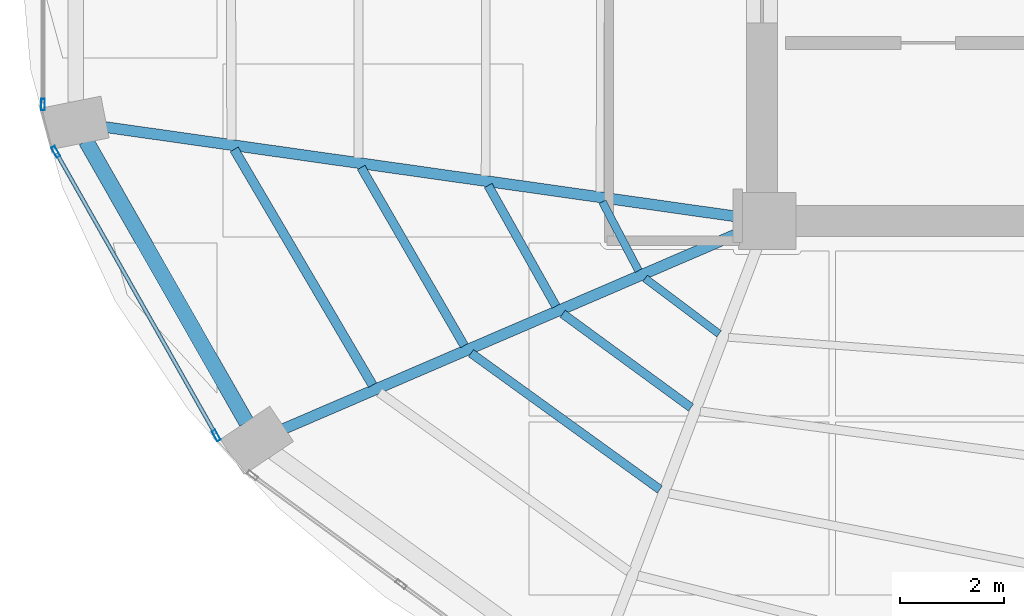
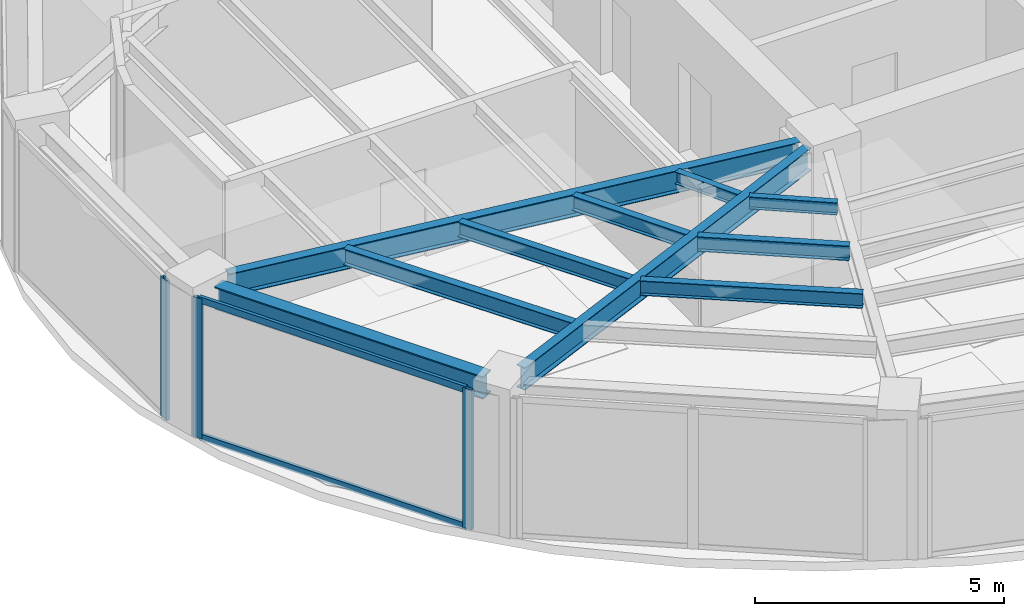
# One storey, part 3 of 20: 10 beams, 5 members, 2 elements without a shape of their own.
"""IFC4 building model written with IfcOpenShell, lengths in metres."""

from ifc_helpers import new_model, si_unit, direction, frame, origin, origin_2d, place, context, subcontext, project, spatial, hollow_rectangle, i_section, extrude, material, layer, layer_set, material_profile, profile_set, type_object, element, aggregate, save


model = new_model("IFC4")

# Units and contexts
model_context = context("Model", 3, precision=1e-05, world=origin(), true_north=direction((0.0, 1.0)))
body_context = subcontext(model_context, "Body", "Model", "MODEL_VIEW")
ifc_project = project(units=[si_unit("LENGTHUNIT", "METRE"), si_unit("AREAUNIT", "SQUARE_METRE"), si_unit("VOLUMEUNIT", "CUBIC_METRE"), si_unit("PLANEANGLEUNIT", "RADIAN"), si_unit("MASSUNIT", "GRAM", prefix="KILO")], contexts=[model_context])

# Site, building, storey
site_placement = place(None, origin())
site = spatial("IfcSite", under=ifc_project, at=site_placement, CompositionType="ELEMENT")
building_placement = place(site_placement, origin())
building = spatial("IfcBuilding", under=site, at=building_placement, Name="Lazwardi Medical Tower", CompositionType="ELEMENT")
storey_placement = place(building_placement, frame((0.0, 0.0, 156.528076171875)))
storey = spatial("IfcBuildingStorey", under=building, at=storey_placement, Name="L40", CompositionType="ELEMENT", Elevation=156.528076171875)

# Beams
ifc_material_1 = material(Name="Steel S355", Category="steel")
ifc_material_profile_1 = material_profile(ifc_material_1, i_section(OverallWidth=0.300048828125, OverallDepth=0.550048828125, WebThickness=0.014892578125, FlangeThickness=0.029052734375, at=origin_2d()), Name="HEB 550")
ifc_profile_set_1 = profile_set([ifc_material_profile_1], Name="Steel S355")
beam_type_1 = type_object("IfcBeamType", Name="BM-RB-Z3", PredefinedType="BEAM", material=ifc_profile_set_1)
beam_1_placement = place(storey_placement, frame((13.272216796875, 21.94091796875, 3.15283203125), z_axis=(0.495460926326, -0.868630226554, 0.0), x_axis=(0.868630226554, 0.495460926326, 0.0)))
element("IfcBeam", 1, at=beam_1_placement, inside=storey, type_object=beam_type_1, Name="Ring beam RB-04 B13 L40", PredefinedType="BEAM", context=body_context, shape_type="SweptSolid", body=[
    extrude(i_section(OverallWidth=0.300048828125, OverallDepth=0.550048828125, WebThickness=0.014892578125, FlangeThickness=0.029052734375, at=origin_2d()), origin(), (0.0, 0.0, 1.0), 6.24462890625),
])
ifc_material_profile_2 = material_profile(ifc_material_1, i_section(OverallWidth=0.2099609375, OverallDepth=0.550048828125, WebThickness=0.010986328125, FlangeThickness=0.01708984375, at=origin_2d()), Name="IPE 550")
ifc_profile_set_2 = profile_set([ifc_material_profile_2], Name="Steel S355")
beam_type_2 = type_object("IfcBeamType", Name="BM-RG-W2", PredefinedType="BEAM", material=ifc_profile_set_2)
beam_2_placement = place(storey_placement, frame((13.628662109375, 22.209716796875, 3.15283203125), z_axis=(0.99010958763, -0.140296131389, 0.0), x_axis=(0.140296131389, 0.99010958763, 0.0)))
element("IfcBeam", 2, at=beam_2_placement, inside=storey, type_object=beam_type_2, Name="Radial girder RG-03 R13 L40", PredefinedType="BEAM", context=body_context, shape_type="SweptSolid", body=[
    extrude(i_section(OverallWidth=0.2099609375, OverallDepth=0.550048828125, WebThickness=0.010986328125, FlangeThickness=0.01708984375, at=origin_2d()), origin(), (0.0, 0.0, 1.0), 12.364013671875),
])
beam_3_placement = place(storey_placement, frame((17.078857421875, 16.390380859375, 3.15283203125), z_axis=(0.918608156288, 0.395169653695, 0.0), x_axis=(-0.395169653695, 0.918608156288, 0.0)))
element("IfcBeam", 3, at=beam_3_placement, inside=storey, type_object=beam_type_2, Name="Radial girder RG-03 R14 L40", PredefinedType="BEAM", context=body_context, shape_type="SweptSolid", body=[
    extrude(i_section(OverallWidth=0.2099609375, OverallDepth=0.550048828125, WebThickness=0.010986328125, FlangeThickness=0.01708984375, at=origin_2d()), origin(), (0.0, 0.0, 1.0), 9.61181640625),
])
ifc_material_profile_3 = material_profile(ifc_material_1, i_section(OverallWidth=0.179931640625, OverallDepth=0.39990234375, WebThickness=0.008544921875, FlangeThickness=0.013427734375, at=origin_2d()), Name="IPE 400")
ifc_profile_set_3 = profile_set([ifc_material_profile_3], Name="Steel S355")
beam_type_3 = type_object("IfcBeamType", Name="BM-SJ-01", PredefinedType="JOIST", material=ifc_profile_set_3)
beam_4_placement = place(storey_placement, frame((16.127685546875, 21.776611328125, 3.22802734375), z_axis=(0.506420212881, -0.862286824662, 0.0), x_axis=(0.862286824662, 0.506420212881, 0.0)))
element("IfcBeam", 4, at=beam_4_placement, inside=storey, type_object=beam_type_3, Name="Secondary joist SJ-01 R1 B13 L40", PredefinedType="JOIST", context=body_context, shape_type="SweptSolid", body=[
    extrude(i_section(OverallWidth=0.179931640625, OverallDepth=0.39990234375, WebThickness=0.008544921875, FlangeThickness=0.013427734375, at=origin_2d()), origin(), (0.0, 0.0, 1.0), 5.265380859375),
])
ifc_material_profile_4 = material_profile(ifc_material_1, i_section(OverallWidth=0.169921875, OverallDepth=0.360107421875, WebThickness=0.008056640625, FlangeThickness=0.0126953125, at=origin_2d()), Name="IPE 360")
ifc_profile_set_4 = profile_set([ifc_material_profile_4], Name="Steel S355")
beam_type_4 = type_object("IfcBeamType", Name="BM-SJ-02", PredefinedType="JOIST", material=ifc_profile_set_4)
beam_5_placement = place(storey_placement, frame((18.5751953125, 21.42919921875, 3.247802734375), z_axis=(0.500640648605, -0.865655209055, 0.0), x_axis=(0.865655209055, 0.500640648605, 0.0)))
element("IfcBeam", 5, at=beam_5_placement, inside=storey, type_object=beam_type_4, Name="Secondary joist SJ-02 R2 B13 L40", PredefinedType="JOIST", context=body_context, shape_type="SweptSolid", body=[
    extrude(i_section(OverallWidth=0.169921875, OverallDepth=0.360107421875, WebThickness=0.008056640625, FlangeThickness=0.0126953125, at=origin_2d()), origin(), (0.0, 0.0, 1.0), 3.965576171875),
])
beam_6_placement = place(storey_placement, frame((20.69189453125, 17.851318359375, 3.247802734375), z_axis=(0.810738039179, -0.585409114917, 0.0), x_axis=(0.585409114917, 0.810738039179, 0.0)))
element("IfcBeam", 6, at=beam_6_placement, inside=storey, type_object=beam_type_4, Name="Secondary joist SJ-02 R2 B14 L40", PredefinedType="JOIST", context=body_context, shape_type="SweptSolid", body=[
    extrude(i_section(OverallWidth=0.169921875, OverallDepth=0.360107421875, WebThickness=0.008056640625, FlangeThickness=0.0126953125, at=origin_2d()), origin(), (0.0, 0.0, 1.0), 4.48779296875),
])
beam_7_placement = place(storey_placement, frame((21.022705078125, 21.081787109375, 3.247802734375), z_axis=(0.489408945026, -0.872054404569, 0.0), x_axis=(0.872054404569, 0.489408945026, 0.0)))
element("IfcBeam", 7, at=beam_7_placement, inside=storey, type_object=beam_type_4, Name="Secondary joist SJ-02 R3 B13 L40", PredefinedType="JOIST", context=body_context, shape_type="SweptSolid", body=[
    extrude(i_section(OverallWidth=0.169921875, OverallDepth=0.360107421875, WebThickness=0.008056640625, FlangeThickness=0.0126953125, at=origin_2d()), origin(), (0.0, 0.0, 1.0), 2.666259765625),
])
beam_8_placement = place(storey_placement, frame((22.45751953125, 18.6103515625, 3.247802734375), z_axis=(0.807285959008, -0.590160470033, 0.0), x_axis=(0.590160470033, 0.807285959008, 0.0)))
element("IfcBeam", 8, at=beam_8_placement, inside=storey, type_object=beam_type_4, Name="Secondary joist SJ-02 R3 B14 L40", PredefinedType="JOIST", context=body_context, shape_type="SweptSolid", body=[
    extrude(i_section(OverallWidth=0.169921875, OverallDepth=0.360107421875, WebThickness=0.008056640625, FlangeThickness=0.0126953125, at=origin_2d()), origin(), (0.0, 0.0, 1.0), 3.06298828125),
])
ifc_material_profile_5 = material_profile(ifc_material_1, i_section(OverallWidth=0.14990234375, OverallDepth=0.300048828125, WebThickness=0.007080078125, FlangeThickness=0.0107421875, at=origin_2d()), Name="IPE 300")
ifc_profile_set_5 = profile_set([ifc_material_profile_5], Name="Steel S355")
beam_type_5 = type_object("IfcBeamType", Name="BM-SJ-03", PredefinedType="JOIST", material=ifc_profile_set_5)
beam_9_placement = place(storey_placement, frame((23.2236328125, 20.768310546875, 3.27783203125), z_axis=(0.464469748171, -0.885588986513, 0.0), x_axis=(0.885588986513, 0.464469748171, 0.0)))
element("IfcBeam", 9, at=beam_9_placement, inside=storey, type_object=beam_type_5, Name="Secondary joist SJ-03 R4 B13 L40", PredefinedType="JOIST", context=body_context, shape_type="SweptSolid", body=[
    extrude(i_section(OverallWidth=0.14990234375, OverallDepth=0.300048828125, WebThickness=0.007080078125, FlangeThickness=0.0107421875, at=origin_2d()), origin(), (0.0, 0.0, 1.0), 1.498046875),
])
beam_10_placement = place(storey_placement, frame((24.0458984375, 19.29296875, 3.27783203125), z_axis=(0.799884834751, -0.600153522972, 0.0), x_axis=(0.600153522972, 0.799884834751, 0.0)))
element("IfcBeam", 10, at=beam_10_placement, inside=storey, type_object=beam_type_5, Name="Secondary joist SJ-03 R4 B14 L40", PredefinedType="JOIST", context=body_context, shape_type="SweptSolid", body=[
    extrude(i_section(OverallWidth=0.14990234375, OverallDepth=0.300048828125, WebThickness=0.007080078125, FlangeThickness=0.0107421875, at=origin_2d()), origin(), (0.0, 0.0, 1.0), 1.781005859375),
])

# Curtain wall, member
ifc_material_2 = material(Name="Anodised bronze aluminium and solar control glazing", Category="aluminium")
ifc_layer = layer(ifc_material_2, 0.195068359375)
ifc_layer_set = layer_set([ifc_layer], Name="Anodised bronze aluminium and solar control glazing")
curtain_wall_type = type_object("IfcCurtainWallType", Name="CW-SYS-03", PredefinedType="NOTDEFINED", material=ifc_layer_set)
curtain_wall_1_placement = place(storey_placement, origin())
curtain_wall_1 = element("IfcCurtainWall", 11, at=curtain_wall_1_placement, inside=storey, type_object=curtain_wall_type, Name="L40 Unitised bronze curtain wall CW-03", PredefinedType="NOTDEFINED")
ifc_material_3 = material(Name="Anodised bronze aluminium", Category="aluminium")
ifc_material_profile_6 = material_profile(ifc_material_3, hollow_rectangle(XDim=0.074951171875, YDim=0.219970703125, WallThickness=0.00390625, at=origin_2d()), Name="ALU-MULLION 220x75x4")
ifc_profile_set_6 = profile_set([ifc_material_profile_6], Name="Anodised bronze aluminium")
member_type_1 = type_object("IfcMemberType", Name="CW-MUL-01", PredefinedType="MULLION", material=ifc_profile_set_6)
member_1_placement = place(storey_placement, frame((12.4423828125, 22.64208984375, 0.0), z_axis=(0.0, 0.0, 1.0), x_axis=(1.0, 0.0, 0.0)))
member_1 = element("IfcMember", 12, at=member_1_placement, type_object=member_type_1, Name="CW-03 mullion 2", PredefinedType="MULLION", context=body_context, shape_type="SweptSolid", body=[
    extrude(hollow_rectangle(XDim=0.074951171875, YDim=0.219970703125, WallThickness=0.00390625, at=origin_2d()), origin(), (0.0, 0.0, 1.0), 3.427978515625),
])
aggregate(curtain_wall_1, [member_1])

# Curtain wall, members
curtain_wall_2_placement = place(storey_placement, origin())
curtain_wall_2 = element("IfcCurtainWall", 13, at=curtain_wall_2_placement, inside=storey, type_object=curtain_wall_type, Name="L40 Unitised bronze curtain wall CW-03", PredefinedType="NOTDEFINED")
member_2_placement = place(storey_placement, frame((12.68896484375, 21.732666015625, 0.0), z_axis=(0.0, 0.0, 1.0), x_axis=(0.870418989303, 0.492311672683, 0.0)))
member_2 = element("IfcMember", 14, at=member_2_placement, type_object=member_type_1, Name="CW-03 mullion 1", PredefinedType="MULLION", context=body_context, shape_type="SweptSolid", body=[
    extrude(hollow_rectangle(XDim=0.074951171875, YDim=0.219970703125, WallThickness=0.00390625, at=origin_2d()), origin(), (0.0, 0.0, 1.0), 3.427978515625),
])
member_3_placement = place(storey_placement, frame((15.782470703125, 16.26318359375, 0.0), z_axis=(0.0, 0.0, 1.0), x_axis=(0.870418989303, 0.492311672683, 0.0)))
member_3 = element("IfcMember", 15, at=member_3_placement, type_object=member_type_1, Name="CW-03 mullion 2", PredefinedType="MULLION", context=body_context, shape_type="SweptSolid", body=[
    extrude(hollow_rectangle(XDim=0.074951171875, YDim=0.219970703125, WallThickness=0.00390625, at=origin_2d()), origin(), (0.0, 0.0, 1.0), 3.427978515625),
])
ifc_material_profile_7 = material_profile(ifc_material_3, hollow_rectangle(XDim=0.074951171875, YDim=0.159912109375, WallThickness=0.00390625, at=origin_2d()), Name="ALU-TRANSOM 160x75x4")
ifc_profile_set_7 = profile_set([ifc_material_profile_7], Name="Anodised bronze aluminium")
member_type_2 = type_object("IfcMemberType", Name="CW-TRN-01", PredefinedType="USERDEFINED", material=ifc_profile_set_7)
member_4_placement = place(storey_placement, frame((12.707275390625, 21.7001953125, 0.037353515625), z_axis=(0.492306010269, -0.870422191958, 0.0), x_axis=(0.870422191958, 0.492306010269, 0.0)))
member_4 = element("IfcMember", 16, at=member_4_placement, type_object=member_type_2, Name="CW-03 transom 1.1", ObjectType="TRANSOM", PredefinedType="USERDEFINED", context=body_context, shape_type="SweptSolid", body=[
    extrude(hollow_rectangle(XDim=0.074951171875, YDim=0.159912109375, WallThickness=0.00390625, at=origin_2d()), origin(), (0.0, 0.0, 1.0), 6.208740234375),
])
member_5_placement = place(storey_placement, frame((12.707275390625, 21.7001953125, 3.390380859375), z_axis=(0.492306010269, -0.870422191958, 0.0), x_axis=(0.870422191958, 0.492306010269, 0.0)))
member_5 = element("IfcMember", 17, at=member_5_placement, type_object=member_type_2, Name="CW-03 transom 1.2", ObjectType="TRANSOM", PredefinedType="USERDEFINED", context=body_context, shape_type="SweptSolid", body=[
    extrude(hollow_rectangle(XDim=0.074951171875, YDim=0.159912109375, WallThickness=0.00390625, at=origin_2d()), origin(), (0.0, 0.0, 1.0), 6.208740234375),
])
aggregate(curtain_wall_2, [member_2, member_3, member_4, member_5])

save(model, "model.ifc")
